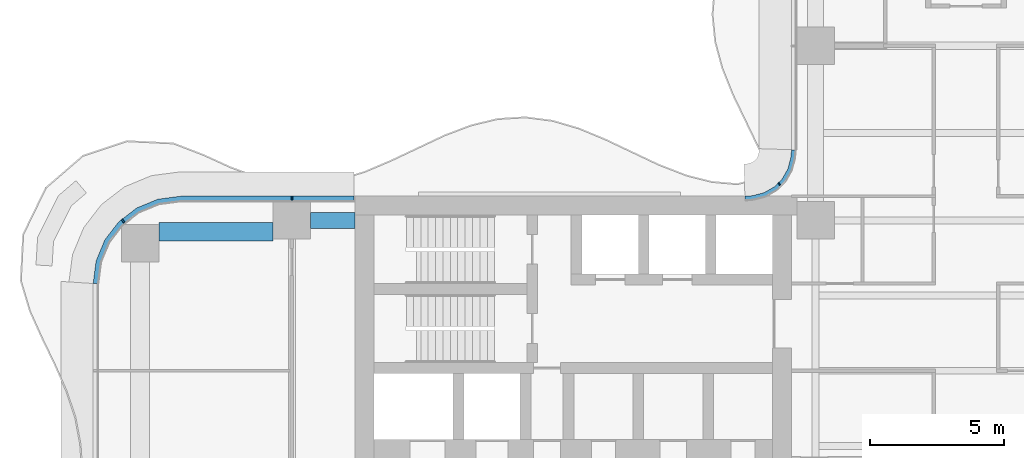
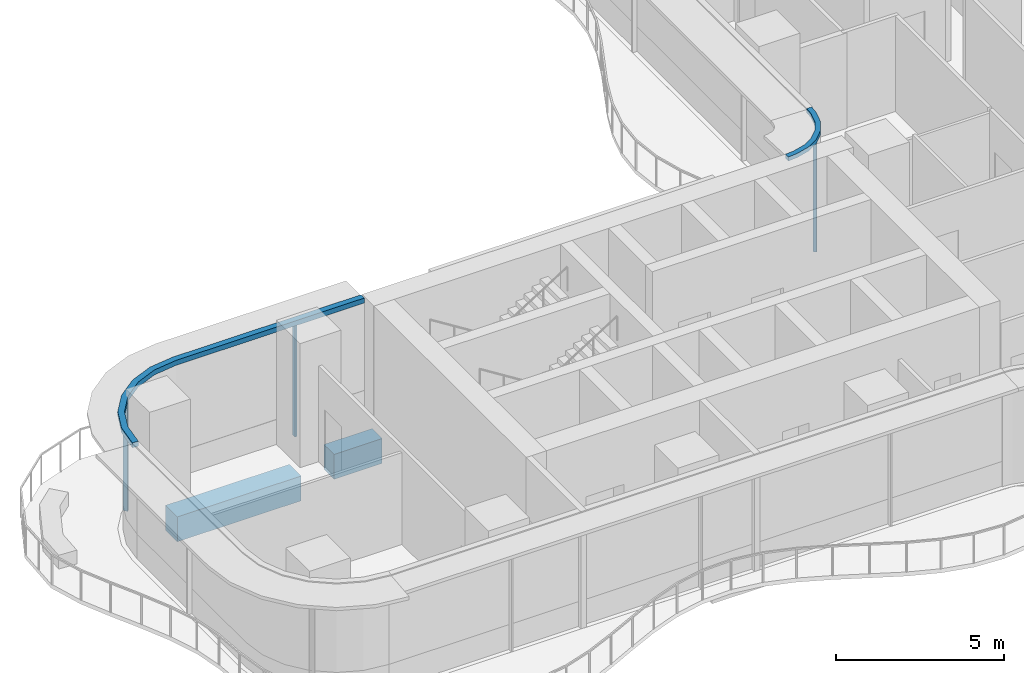
# One storey, part 8 of 22: 5 members, 2 beams, 2 elements without a shape of their own.
"""IFC4 building model written with IfcOpenShell, lengths in metres."""

from ifc_helpers import new_model, si_unit, direction, frame, origin, origin_2d, place, context, subcontext, project, spatial, polyline, rectangle, outline, extrude, source, transform, mapped, material, layer, layer_set, material_profile, profile_set, type_object, element, aggregate, save


model = new_model("IFC4")

# Units and contexts
model_context = context("Model", 3, precision=1e-05, world=origin(), true_north=direction((0.0, 1.0)))
body_context = subcontext(model_context, "Body", "Model", "MODEL_VIEW")
ifc_project = project(units=[si_unit("LENGTHUNIT", "METRE"), si_unit("AREAUNIT", "SQUARE_METRE"), si_unit("VOLUMEUNIT", "CUBIC_METRE"), si_unit("PLANEANGLEUNIT", "RADIAN"), si_unit("MASSUNIT", "GRAM", prefix="KILO")], contexts=[model_context])

# Site, building, storey
site_placement = place(None, origin())
site = spatial("IfcSite", under=ifc_project, at=site_placement, CompositionType="ELEMENT")
building_placement = place(site_placement, origin())
building = spatial("IfcBuilding", under=site, at=building_placement, Name="Trellis Farm Tower", CompositionType="ELEMENT")
storey_placement = place(building_placement, frame((0.0, 0.0, 61.0)))
storey = spatial("IfcBuildingStorey", under=building, at=storey_placement, Name="L12", CompositionType="ELEMENT", Elevation=61.0)

# Beams
ifc_material_1 = material(Name="Concrete C60/75", Category="concrete")
ifc_material_profile_1 = material_profile(ifc_material_1, rectangle(XDim=0.699951171875, YDim=0.89990234375, at=origin_2d()), Name="RC spandrel beam 700x900 C60/75")
ifc_profile_set_1 = profile_set([ifc_material_profile_1], Name="Concrete C60/75")
beam_type_1 = type_object("IfcBeamType", Name="RC spandrel beam 700x900 C60/75", PredefinedType="SPANDREL", material=ifc_profile_set_1)
shared_shape_1 = source(origin(), body_context, "Body", "SweptSolid", [
    extrude(rectangle(XDim=0.699951171875, YDim=0.89990234375, at=origin_2d()), origin(), (0.0, 0.0, 1.0), 4.25),
])
beam_1_placement = place(storey_placement, frame((-30.050048828125, 5.175048828125, -0.699951171875), z_axis=(1.0, 0.0, 0.0), x_axis=(0.0, 1.0, 0.0)))
element("IfcBeam", 1, at=beam_1_placement, inside=storey, type_object=beam_type_1, Name="Girder", PredefinedType="SPANDREL", context=body_context, shape_type="MappedRepresentation", body=[
    mapped(shared_shape_1, transform((0.0, 0.0, 0.0))),
])
ifc_material_profile_2 = material_profile(ifc_material_1, rectangle(XDim=0.60009765625, YDim=0.89990234375, at=origin_2d()), Name="RC spandrel beam 600x900 C60/75")
ifc_profile_set_2 = profile_set([ifc_material_profile_2], Name="Concrete C60/75")
beam_type_2 = type_object("IfcBeamType", Name="RC spandrel beam 600x900 C60/75", PredefinedType="SPANDREL", material=ifc_profile_set_2)
shared_shape_2 = source(origin(), body_context, "Body", "SweptSolid", [
    extrude(rectangle(XDim=0.60009765625, YDim=0.89990234375, at=origin_2d()), origin(), (0.0, 0.0, 1.0), 1.64990234375),
])
beam_2_placement = place(storey_placement, frame((-24.39990234375, 5.60009765625, -0.699951171875), z_axis=(1.0, 0.0, 0.0), x_axis=(0.0, 1.0, 0.0)))
element("IfcBeam", 2, at=beam_2_placement, inside=storey, type_object=beam_type_2, Name="Girder", PredefinedType="SPANDREL", context=body_context, shape_type="MappedRepresentation", body=[
    mapped(shared_shape_2, transform((0.0, 0.0, 0.0))),
])

# Curtain wall, members
ifc_material_2 = material(Name="Aluminium and glass curtain wall", Category="aluminium")
ifc_layer_1 = layer(ifc_material_2, 0.18994140625)
ifc_layer_set_1 = layer_set([ifc_layer_1], Name="RIBBON CURTAIN WALL CW1")
curtain_wall_type_1 = type_object("IfcCurtainWallType", Name="RIBBON CURTAIN WALL CW1", PredefinedType="NOTDEFINED", material=ifc_layer_set_1)
placement = place(storey_placement, origin())
curtain_wall_1 = element("IfcCurtainWall", 3, at=placement, inside=storey, type_object=curtain_wall_type_1, Name="CW1 013", PredefinedType="NOTDEFINED")
ifc_material_3 = material(Name="Aluminium extrusion 6063-T6", Category="aluminium")
ifc_material_profile_3 = material_profile(ifc_material_3, rectangle(XDim=0.06005859375, YDim=0.14990234375, at=origin_2d()), Name="MULLION 60x150")
ifc_profile_set_3 = profile_set([ifc_material_profile_3], Name="Aluminium extrusion 6063-T6")
member_type_1 = type_object("IfcMemberType", Name="CW1 MULLION 60x150", PredefinedType="MULLION", material=ifc_profile_set_3)
shared_shape_3 = source(origin(), body_context, "Body", "SweptSolid", [
    extrude(rectangle(XDim=0.06005859375, YDim=0.14990234375, at=origin_2d()), origin(), (0.0, 0.0, 1.0), 4.070068359375),
])
member_1_placement = place(storey_placement, frame((-25.10009765625, 6.425048828125, 0.0), z_axis=(0.0, 0.0, 1.0), x_axis=(-1.0, 0.0, 0.0)))
member_1 = element("IfcMember", 4, at=member_1_placement, type_object=member_type_1, Name="MU1 013-01", PredefinedType="MULLION", context=body_context, shape_type="MappedRepresentation", body=[
    mapped(shared_shape_3, transform((0.0, 0.0, 0.0))),
])
member_2_placement = place(storey_placement, frame((-31.385498046875, 5.578369140625, 0.0), z_axis=(0.0, 0.0, 1.0), x_axis=(-0.793353340291, -0.608761429009, 0.0)))
member_2 = element("IfcMember", 5, at=member_2_placement, type_object=member_type_1, Name="MU1 013-02", PredefinedType="MULLION", context=body_context, shape_type="MappedRepresentation", body=[
    mapped(shared_shape_3, transform((0.0, 0.0, 0.0))),
])

ifc_layer_2 = layer(ifc_material_2, 0.166015625)
ifc_layer_set_2 = layer_set([ifc_layer_2], Name="WINTER GARDEN CURTAIN WALL CW3")
curtain_wall_type_2 = type_object("IfcCurtainWallType", Name="WINTER GARDEN CURTAIN WALL CW3", PredefinedType="NOTDEFINED", material=ifc_layer_set_2)
curtain_wall_2 = element("IfcCurtainWall", 6, at=placement, inside=storey, type_object=curtain_wall_type_2, Name="CW3 004", PredefinedType="NOTDEFINED")
ifc_material_profile_4 = material_profile(ifc_material_3, rectangle(XDim=0.050048828125, YDim=0.1201171875, at=origin_2d()), Name="MULLION 50x120")
ifc_profile_set_4 = profile_set([ifc_material_profile_4], Name="Aluminium extrusion 6063-T6")
member_type_2 = type_object("IfcMemberType", Name="CW3 MULLION 50x120", PredefinedType="MULLION", material=ifc_profile_set_4)
shared_shape_4 = source(origin(), body_context, "Body", "SweptSolid", [
    extrude(rectangle(XDim=0.050048828125, YDim=0.1201171875, at=origin_2d()), origin(), (0.0, 0.0, 1.0), 4.10009765625),
])
member_3_placement = place(storey_placement, frame((-6.953125, 6.953125, 0.0), z_axis=(0.0, 0.0, 1.0), x_axis=(-0.707106781187, -0.707106781187, 0.0)))
member_3 = element("IfcMember", 7, at=member_3_placement, type_object=member_type_2, Name="MU3 004-01", PredefinedType="MULLION", context=body_context, shape_type="MappedRepresentation", body=[
    mapped(shared_shape_4, transform((0.0, 0.0, 0.0))),
])
ifc_layer_3 = layer(ifc_material_3, 0.169921875)
ifc_layer_set_3 = layer_set([ifc_layer_3], Name="Aluminium extrusion 6063-T6")
member_type_3 = type_object("IfcMemberType", Name="CW3 TRANSOM 170x150", PredefinedType="USERDEFINED", material=ifc_layer_set_3)
shared_shape_5 = source(origin(), body_context, "Body", "SweptSolid", [
    extrude(outline(polyline([(-6.5, 8.2314453125), (-6.513916015625, 8.01953125), (-6.527587890625, 7.91552734375), (-6.63671875, 7.508544921875), (-6.846923828125, 7.144287109375), (-7.144287109375, 6.846923828125), (-7.508544921875, 6.63671875), (-7.91552734375, 6.527587890625), (-8.01953125, 6.513916015625), (-8.2314453125, 6.5), (-8.225830078125, 6.330078125), (-8.0029296875, 6.3447265625), (-7.88232421875, 6.360595703125), (-7.44287109375, 6.478271484375), (-7.0400390625, 6.7109375), (-6.7109375, 7.0400390625), (-6.478271484375, 7.44287109375), (-6.360595703125, 7.88232421875), (-6.3447265625, 8.0029296875), (-6.330078125, 8.225830078125), (-6.5, 8.2314453125)])), origin(), (0.0, 0.0, 1.0), 0.14990234375),
])
member_4_placement = place(storey_placement, frame((0.0, 0.0, 4.10009765625)))
member_4 = element("IfcMember", 8, at=member_4_placement, type_object=member_type_3, Name="TR3 004", ObjectType="TRANSOM", PredefinedType="USERDEFINED", context=body_context, shape_type="MappedRepresentation", body=[
    mapped(shared_shape_5, transform((0.0, 0.0, 0.0))),
])
aggregate(curtain_wall_2, [member_3, member_4])

# Member
ifc_layer_4 = layer(ifc_material_3, 0.199951171875)
ifc_layer_set_4 = layer_set([ifc_layer_4], Name="Aluminium extrusion 6063-T6")
member_type_4 = type_object("IfcMemberType", Name="CW1 TRANSOM 200x180", PredefinedType="USERDEFINED", material=ifc_layer_set_4)
shared_shape_6 = source(origin(), body_context, "Body", "SweptSolid", [
    extrude(outline(polyline([(-22.780029296875, 6.5), (-29.25, 6.5), (-30.091064453125, 6.38916015625), (-30.875, 6.064697265625), (-31.548095703125, 5.548095703125), (-32.064697265625, 4.875), (-32.38916015625, 4.091064453125), (-32.5, 3.25), (-32.300048828125, 3.23681640625), (-32.1943359375, 4.0390625), (-31.889892578125, 4.774169921875), (-31.405517578125, 5.405517578125), (-30.774169921875, 5.889892578125), (-30.0390625, 6.1943359375), (-29.23681640625, 6.300048828125), (-22.780029296875, 6.300048828125), (-22.780029296875, 6.5)])), origin(), (0.0, 0.0, 1.0), 0.179931640625),
])
member_5_placement = place(storey_placement, frame((0.0, 0.0, 4.070068359375)))
member_5 = element("IfcMember", 9, at=member_5_placement, type_object=member_type_4, Name="TR1 013", ObjectType="TRANSOM", PredefinedType="USERDEFINED", context=body_context, shape_type="MappedRepresentation", body=[
    mapped(shared_shape_6, transform((0.0, 0.0, 0.0))),
])

aggregate(curtain_wall_1, [member_1, member_2, member_5])

save(model, "model.ifc")
